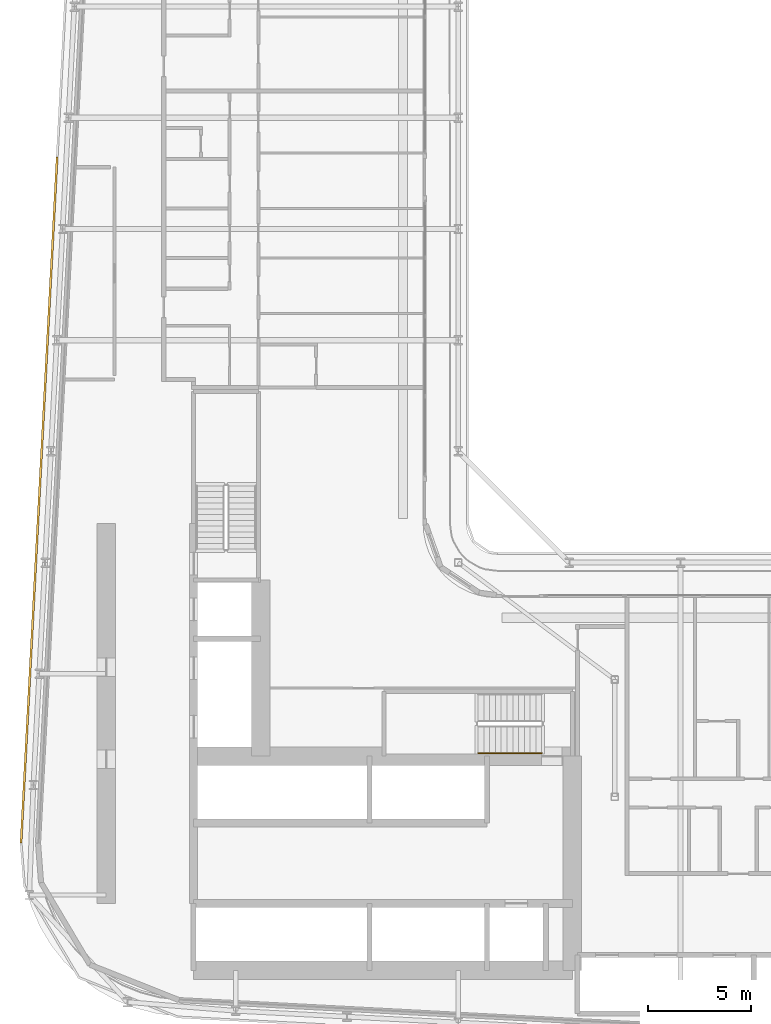
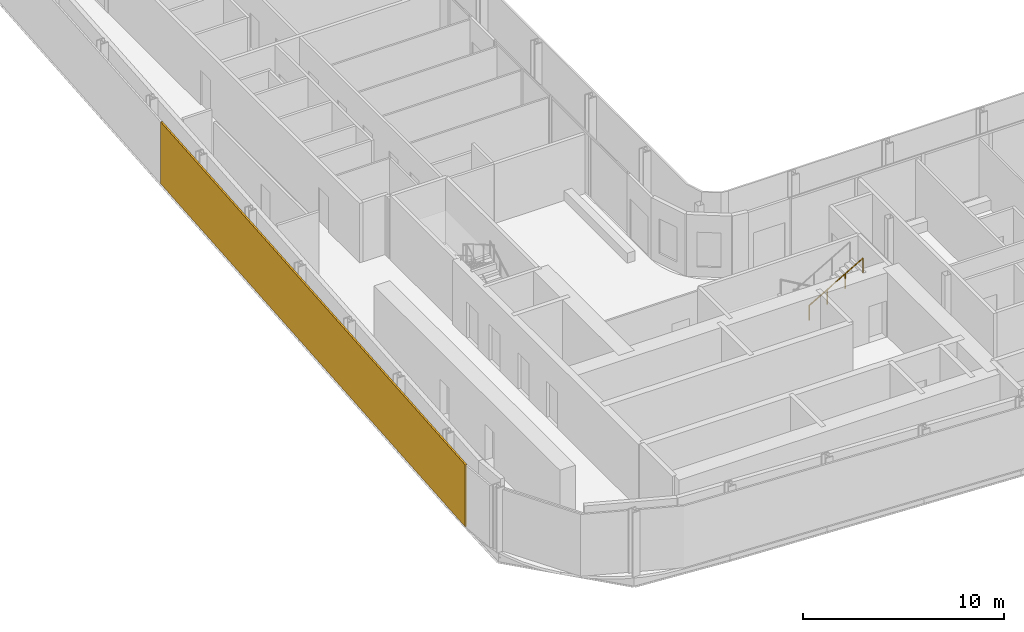
# One storey, part 23 of 29: 1 railing, 1 shading device.
"""IFC4 building model written with IfcOpenShell, lengths in metres."""

from ifc_helpers import new_model, si_unit, direction, frame, origin, origin_2d, place, context, subcontext, project, spatial, rectangle, circle, extrude, material, layer, layer_set, type_object, element, save


model = new_model("IFC4")

# Units and contexts
model_context = context("Model", 3, precision=1e-05, world=origin(), true_north=direction((0.0, 1.0)))
body_context = subcontext(model_context, "Body", "Model", "MODEL_VIEW")
ifc_project = project(units=[si_unit("LENGTHUNIT", "METRE"), si_unit("AREAUNIT", "SQUARE_METRE"), si_unit("VOLUMEUNIT", "CUBIC_METRE"), si_unit("PLANEANGLEUNIT", "RADIAN"), si_unit("MASSUNIT", "GRAM", prefix="KILO")], contexts=[model_context])

# Site, building, storey
site_placement = place(None, origin())
site = spatial("IfcSite", under=ifc_project, at=site_placement, CompositionType="ELEMENT")
building_placement = place(site_placement, origin())
building = spatial("IfcBuilding", under=site, at=building_placement, Name="Kheshtan School and Residences Tower", CompositionType="ELEMENT")
storey_placement = place(building_placement, frame((0.0, 0.0, 117.5)))
storey = spatial("IfcBuildingStorey", under=building, at=storey_placement, Name="L27", CompositionType="ELEMENT", Elevation=117.5)

# Shading device
ifc_material_1 = material(Name="Terracotta baguette, extruded ceramic", Category="masonry")
ifc_layer = layer(ifc_material_1, 0.10009765625)
ifc_layer_set = layer_set([ifc_layer], Name="Ledge screen, terracotta baguettes")
shading_device_type = type_object("IfcShadingDeviceType", Name="Ledge screen, terracotta baguettes", PredefinedType="USERDEFINED", material=ifc_layer_set)
shading_device_placement = place(storey_placement, frame((27.24609375, 48.638916015625, 0.0), z_axis=(0.0, 0.0, 1.0), x_axis=(0.052562536748, 0.998617634398, 0.0)))
element("IfcShadingDevice", 1, at=shading_device_placement, inside=storey, type_object=shading_device_type, Name="Screen L27 4", ObjectType="BAGUETTE", PredefinedType="USERDEFINED", context=body_context, shape_type="SweptSolid", body=[
    extrude(rectangle(XDim=33.341064453125, YDim=0.10009765625, at=origin_2d()), origin(), (0.0, 0.0, 1.0), 3.75),
])

# Railing
ifc_material_2 = material(Name="Stainless steel handrail", Category="steel")
railing_type = type_object("IfcRailingType", Name="Stair handrail 900", PredefinedType="HANDRAIL", material=ifc_material_2)
railing_placement = place(storey_placement, frame((48.570068359375, 36.35009765625, 2.112548828125)))
element("IfcRailing", 2, at=railing_placement, inside=storey, type_object=railing_type, Name="L27 ST1 stair handrail 2", PredefinedType="HANDRAIL", context=body_context, shape_type="SweptSolid", body=[
    extrude(circle(Radius=0.02392578125, at=origin_2d()), frame((0.0, 0.0, 0.8759765625), z_axis=(0.864903211148, 0.0, 0.501938676878), x_axis=(0.0, 1.0, 0.0)), (0.0, 0.0, 1.0), 3.560791015625),
    extrude(circle(Radius=0.02099609375, at=origin_2d()), origin(), (0.0, 0.0, 1.0), 0.851806640625),
    extrude(circle(Radius=0.02099609375, at=origin_2d()), frame((1.026611328125, 0.0, 0.595703125)), (0.0, 0.0, 1.0), 0.851806640625),
    extrude(circle(Radius=0.02099609375, at=origin_2d()), frame((2.05322265625, 0.0, 1.191650390625)), (0.0, 0.0, 1.0), 0.851806640625),
    extrude(circle(Radius=0.02099609375, at=origin_2d()), frame((3.079833984375, 0.0, 1.787353515625)), (0.0, 0.0, 1.0), 0.851806640625),
])

save(model, "model.ifc")
